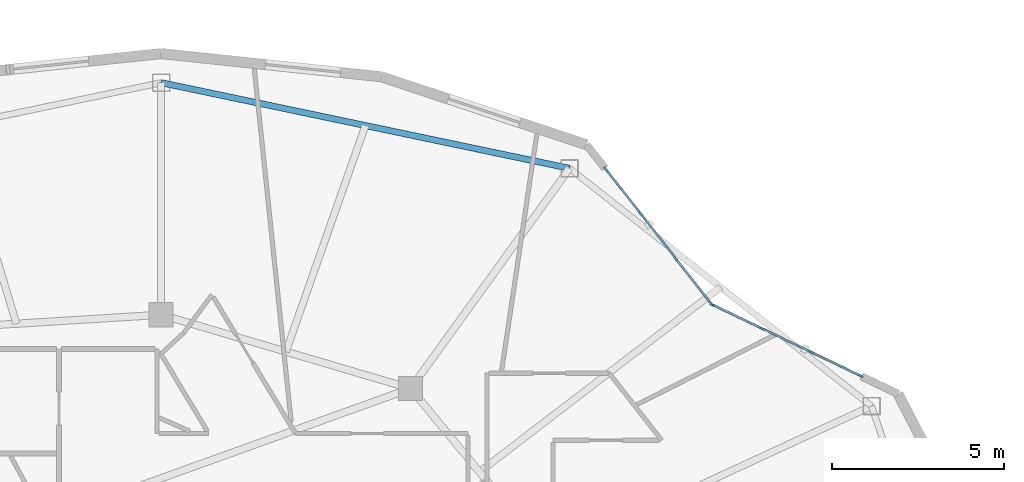
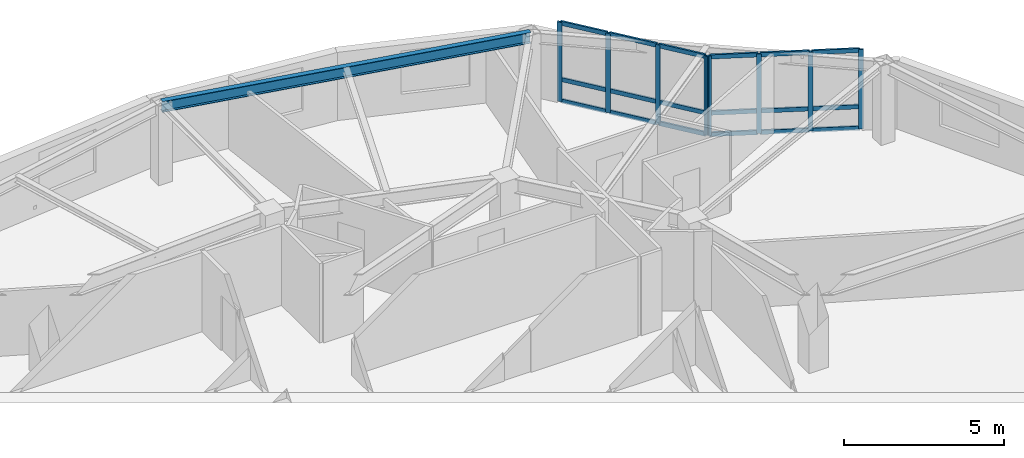
# One storey, part 6 of 21: 26 members, 1 beam, 2 elements without a shape of their own.
"""IFC4 building model written with IfcOpenShell, lengths in metres."""

from ifc_helpers import new_model, si_unit, direction, frame, origin, origin_2d, place, context, subcontext, project, spatial, rectangle, i_section, extrude, material, layer, layer_set, material_profile, profile_set, type_object, element, aggregate, save


model = new_model("IFC4")

# Units and contexts
model_context = context("Model", 3, precision=1e-05, world=origin(), true_north=direction((0.0, 1.0)))
body_context = subcontext(model_context, "Body", "Model", "MODEL_VIEW")
ifc_project = project(units=[si_unit("LENGTHUNIT", "METRE"), si_unit("AREAUNIT", "SQUARE_METRE"), si_unit("VOLUMEUNIT", "CUBIC_METRE"), si_unit("PLANEANGLEUNIT", "RADIAN"), si_unit("MASSUNIT", "GRAM", prefix="KILO")], contexts=[model_context])

# Site, building, storey
site_placement = place(None, origin())
site = spatial("IfcSite", under=ifc_project, at=site_placement, CompositionType="ELEMENT")
building_placement = place(site_placement, origin())
building = spatial("IfcBuilding", under=site, at=building_placement, Name="Kolvaren Gate Tower and Convention Centre", CompositionType="ELEMENT")
storey_placement = place(building_placement, frame((0.0, 0.0, 226.10009765625)))
storey = spatial("IfcBuildingStorey", under=building, at=storey_placement, Name="L60", CompositionType="ELEMENT", Elevation=226.10009765625)

# Curtain wall, members
ifc_material_1 = material(Name="Anodized Architectural Aluminium Alloy 6063-T6", Category="aluminium")
ifc_layer = layer(ifc_material_1, 0.159912109375)
ifc_layer_set = layer_set([ifc_layer], Name="Anodized Architectural Aluminium Alloy 6063-T6")
curtain_wall_type = type_object("IfcCurtainWallType", Name="CW-RES-UNIT", PredefinedType="NOTDEFINED", material=ifc_layer_set)
curtain_wall_1_placement = place(storey_placement, origin())
curtain_wall_1 = element("IfcCurtainWall", 1, at=curtain_wall_1_placement, inside=storey, type_object=curtain_wall_type, Name="Tower L60 Unitised Curtain Wall CW-RES-UNIT Bay 02", PredefinedType="NOTDEFINED")
ifc_material_profile_1 = material_profile(ifc_material_1, rectangle(XDim=0.06494140625, YDim=0.159912109375, at=origin_2d()), Name="CW-MEM-MUL-160")
ifc_profile_set_1 = profile_set([ifc_material_profile_1], Name="Anodized Architectural Aluminium Alloy 6063-T6")
member_type_1 = type_object("IfcMemberType", Name="CW-MEM-MUL-160", PredefinedType="MULLION", material=ifc_profile_set_1)
member_1_placement = place(storey_placement, frame((46.161865234375, 39.4931640625, 0.0), z_axis=(0.0, 0.0, 1.0), x_axis=(0.433064264345, 0.90136304725, 0.0)))
member_1 = element("IfcMember", 2, at=member_1_placement, type_object=member_type_1, Name="CW-04 mullion 1", PredefinedType="MULLION", context=body_context, shape_type="SweptSolid", body=[
    extrude(rectangle(XDim=0.06494140625, YDim=0.159912109375, at=origin_2d()), origin(), (0.0, 0.0, 1.0), 3.02978515625),
])
member_2_placement = place(storey_placement, frame((47.58642578125, 38.808837890625, 0.0), z_axis=(0.0, 0.0, 1.0), x_axis=(0.433064264345, 0.90136304725, 0.0)))
member_2 = element("IfcMember", 3, at=member_2_placement, type_object=member_type_1, Name="CW-04 mullion 2", PredefinedType="MULLION", context=body_context, shape_type="SweptSolid", body=[
    extrude(rectangle(XDim=0.06494140625, YDim=0.159912109375, at=origin_2d()), origin(), (0.0, 0.0, 1.0), 3.02978515625),
])
member_3_placement = place(storey_placement, frame((49.040283203125, 38.1103515625, 0.0), z_axis=(0.0, 0.0, 1.0), x_axis=(0.433064264345, 0.90136304725, 0.0)))
member_3 = element("IfcMember", 4, at=member_3_placement, type_object=member_type_1, Name="CW-04 mullion 3", PredefinedType="MULLION", context=body_context, shape_type="SweptSolid", body=[
    extrude(rectangle(XDim=0.06494140625, YDim=0.159912109375, at=origin_2d()), origin(), (0.0, 0.0, 1.0), 3.02978515625),
])
member_4_placement = place(storey_placement, frame((50.46484375, 37.42578125, 0.0), z_axis=(0.0, 0.0, 1.0), x_axis=(0.433064264345, 0.90136304725, 0.0)))
member_4 = element("IfcMember", 5, at=member_4_placement, type_object=member_type_1, Name="CW-04 mullion 4", PredefinedType="MULLION", context=body_context, shape_type="SweptSolid", body=[
    extrude(rectangle(XDim=0.06494140625, YDim=0.159912109375, at=origin_2d()), origin(), (0.0, 0.0, 1.0), 3.02978515625),
])

curtain_wall_2_placement = place(storey_placement, origin())
curtain_wall_2 = element("IfcCurtainWall", 6, at=curtain_wall_2_placement, inside=storey, type_object=curtain_wall_type, Name="Tower L60 Unitised Curtain Wall CW-RES-UNIT Bay 03", PredefinedType="NOTDEFINED")
member_5_placement = place(storey_placement, frame((43.06005859375, 43.431884765625, 0.0), z_axis=(0.0, 0.0, 1.0), x_axis=(0.787404459493, 0.616436709784, 0.0)))
member_5 = element("IfcMember", 7, at=member_5_placement, type_object=member_type_1, Name="CW-04 mullion 1", PredefinedType="MULLION", context=body_context, shape_type="SweptSolid", body=[
    extrude(rectangle(XDim=0.06494140625, YDim=0.159912109375, at=origin_2d()), origin(), (0.0, 0.0, 1.0), 3.02978515625),
])
member_6_placement = place(storey_placement, frame((44.07080078125, 42.140869140625, 0.0), z_axis=(0.0, 0.0, 1.0), x_axis=(0.787404459493, 0.616436709784, 0.0)))
member_6 = element("IfcMember", 8, at=member_6_placement, type_object=member_type_1, Name="CW-04 mullion 2", PredefinedType="MULLION", context=body_context, shape_type="SweptSolid", body=[
    extrude(rectangle(XDim=0.06494140625, YDim=0.159912109375, at=origin_2d()), origin(), (0.0, 0.0, 1.0), 3.02978515625),
])
member_7_placement = place(storey_placement, frame((45.1015625, 40.823974609375, 0.0), z_axis=(0.0, 0.0, 1.0), x_axis=(0.787404459493, 0.616436709784, 0.0)))
member_7 = element("IfcMember", 9, at=member_7_placement, type_object=member_type_1, Name="CW-04 mullion 3", PredefinedType="MULLION", context=body_context, shape_type="SweptSolid", body=[
    extrude(rectangle(XDim=0.06494140625, YDim=0.159912109375, at=origin_2d()), origin(), (0.0, 0.0, 1.0), 3.02978515625),
])
member_8_placement = place(storey_placement, frame((46.112548828125, 39.532958984375, 0.0), z_axis=(0.0, 0.0, 1.0), x_axis=(0.787404459493, 0.616436709784, 0.0)))
member_8 = element("IfcMember", 10, at=member_8_placement, type_object=member_type_1, Name="CW-04 mullion 4", PredefinedType="MULLION", context=body_context, shape_type="SweptSolid", body=[
    extrude(rectangle(XDim=0.06494140625, YDim=0.159912109375, at=origin_2d()), origin(), (0.0, 0.0, 1.0), 3.02978515625),
])

# Member
ifc_material_profile_2 = material_profile(ifc_material_1, rectangle(XDim=0.06494140625, YDim=0.159912109375, at=origin_2d()), Name="CW-MEM-TRN-160")
ifc_profile_set_2 = profile_set([ifc_material_profile_2], Name="Anodized Architectural Aluminium Alloy 6063-T6")
member_type_2 = type_object("IfcMemberType", Name="CW-MEM-TRN-160", PredefinedType="USERDEFINED", material=ifc_profile_set_2)
member_9_placement = place(storey_placement, frame((46.191162109375, 39.479248046875, 0.032470703125), z_axis=(0.901309275583, -0.433176164797, 0.0), x_axis=(0.433176164797, 0.901309275583, 0.0)))
member_9 = element("IfcMember", 11, at=member_9_placement, type_object=member_type_2, Name="CW-04 transom 1.1", ObjectType="TRANSOM", PredefinedType="USERDEFINED", context=body_context, shape_type="SweptSolid", body=[
    extrude(rectangle(XDim=0.06494140625, YDim=0.159912109375, at=origin_2d()), origin(), (0.0, 0.0, 1.0), 1.515625),
])

member_10_placement = place(storey_placement, frame((46.191162109375, 39.479248046875, 0.849853515625), z_axis=(0.901309275583, -0.433176164797, 0.0), x_axis=(0.433176164797, 0.901309275583, 0.0)))
member_10 = element("IfcMember", 12, at=member_10_placement, type_object=member_type_2, Name="CW-04 transom 1.2", ObjectType="TRANSOM", PredefinedType="USERDEFINED", context=body_context, shape_type="SweptSolid", body=[
    extrude(rectangle(XDim=0.06494140625, YDim=0.159912109375, at=origin_2d()), origin(), (0.0, 0.0, 1.0), 1.515625),
])

member_11_placement = place(storey_placement, frame((46.191162109375, 39.479248046875, 2.997314453125), z_axis=(0.901309275583, -0.433176164797, 0.0), x_axis=(0.433176164797, 0.901309275583, 0.0)))
member_11 = element("IfcMember", 13, at=member_11_placement, type_object=member_type_2, Name="CW-04 transom 1.3", ObjectType="TRANSOM", PredefinedType="USERDEFINED", context=body_context, shape_type="SweptSolid", body=[
    extrude(rectangle(XDim=0.06494140625, YDim=0.159912109375, at=origin_2d()), origin(), (0.0, 0.0, 1.0), 1.515625),
])

member_12_placement = place(storey_placement, frame((47.61572265625, 38.794677734375, 0.032470703125), z_axis=(0.901350707748, -0.433089946365, 0.0), x_axis=(0.433089946365, 0.901350707748, 0.0)))
member_12 = element("IfcMember", 14, at=member_12_placement, type_object=member_type_2, Name="CW-04 transom 2.1", ObjectType="TRANSOM", PredefinedType="USERDEFINED", context=body_context, shape_type="SweptSolid", body=[
    extrude(rectangle(XDim=0.06494140625, YDim=0.159912109375, at=origin_2d()), origin(), (0.0, 0.0, 1.0), 1.5478515625),
])

member_13_placement = place(storey_placement, frame((47.61572265625, 38.794677734375, 0.849853515625), z_axis=(0.901350707748, -0.433089946365, 0.0), x_axis=(0.433089946365, 0.901350707748, 0.0)))
member_13 = element("IfcMember", 15, at=member_13_placement, type_object=member_type_2, Name="CW-04 transom 2.2", ObjectType="TRANSOM", PredefinedType="USERDEFINED", context=body_context, shape_type="SweptSolid", body=[
    extrude(rectangle(XDim=0.06494140625, YDim=0.159912109375, at=origin_2d()), origin(), (0.0, 0.0, 1.0), 1.5478515625),
])

member_14_placement = place(storey_placement, frame((47.61572265625, 38.794677734375, 2.997314453125), z_axis=(0.901350707748, -0.433089946365, 0.0), x_axis=(0.433089946365, 0.901350707748, 0.0)))
member_14 = element("IfcMember", 16, at=member_14_placement, type_object=member_type_2, Name="CW-04 transom 2.3", ObjectType="TRANSOM", PredefinedType="USERDEFINED", context=body_context, shape_type="SweptSolid", body=[
    extrude(rectangle(XDim=0.06494140625, YDim=0.159912109375, at=origin_2d()), origin(), (0.0, 0.0, 1.0), 1.5478515625),
])

member_15_placement = place(storey_placement, frame((49.069580078125, 38.09619140625, 0.032470703125), z_axis=(0.901372164893, -0.433045286726, 0.0), x_axis=(0.433045286726, 0.901372164893, 0.0)))
member_15 = element("IfcMember", 17, at=member_15_placement, type_object=member_type_2, Name="CW-04 transom 3.1", ObjectType="TRANSOM", PredefinedType="USERDEFINED", context=body_context, shape_type="SweptSolid", body=[
    extrude(rectangle(XDim=0.06494140625, YDim=0.159912109375, at=origin_2d()), origin(), (0.0, 0.0, 1.0), 1.515380859375),
])

member_16_placement = place(storey_placement, frame((49.069580078125, 38.09619140625, 0.849853515625), z_axis=(0.901372164893, -0.433045286726, 0.0), x_axis=(0.433045286726, 0.901372164893, 0.0)))
member_16 = element("IfcMember", 18, at=member_16_placement, type_object=member_type_2, Name="CW-04 transom 3.2", ObjectType="TRANSOM", PredefinedType="USERDEFINED", context=body_context, shape_type="SweptSolid", body=[
    extrude(rectangle(XDim=0.06494140625, YDim=0.159912109375, at=origin_2d()), origin(), (0.0, 0.0, 1.0), 1.515380859375),
])

member_17_placement = place(storey_placement, frame((49.069580078125, 38.09619140625, 2.997314453125), z_axis=(0.901372164893, -0.433045286726, 0.0), x_axis=(0.433045286726, 0.901372164893, 0.0)))
member_17 = element("IfcMember", 19, at=member_17_placement, type_object=member_type_2, Name="CW-04 transom 3.3", ObjectType="TRANSOM", PredefinedType="USERDEFINED", context=body_context, shape_type="SweptSolid", body=[
    extrude(rectangle(XDim=0.06494140625, YDim=0.159912109375, at=origin_2d()), origin(), (0.0, 0.0, 1.0), 1.515380859375),
])

aggregate(curtain_wall_1, [member_1, member_2, member_3, member_4, member_9, member_10, member_11, member_12, member_13, member_14, member_15, member_16, member_17])

member_18_placement = place(storey_placement, frame((43.080078125, 43.40625, 0.032470703125), z_axis=(0.616416943475, -0.787419933579, 0.0), x_axis=(0.787419933579, 0.616416943475, 0.0)))
member_18 = element("IfcMember", 20, at=member_18_placement, type_object=member_type_2, Name="CW-04 transom 1.1", ObjectType="TRANSOM", PredefinedType="USERDEFINED", context=body_context, shape_type="SweptSolid", body=[
    extrude(rectangle(XDim=0.06494140625, YDim=0.159912109375, at=origin_2d()), origin(), (0.0, 0.0, 1.0), 1.57470703125),
])

member_19_placement = place(storey_placement, frame((43.080078125, 43.40625, 0.849853515625), z_axis=(0.616416943475, -0.787419933579, 0.0), x_axis=(0.787419933579, 0.616416943475, 0.0)))
member_19 = element("IfcMember", 21, at=member_19_placement, type_object=member_type_2, Name="CW-04 transom 1.2", ObjectType="TRANSOM", PredefinedType="USERDEFINED", context=body_context, shape_type="SweptSolid", body=[
    extrude(rectangle(XDim=0.06494140625, YDim=0.159912109375, at=origin_2d()), origin(), (0.0, 0.0, 1.0), 1.57470703125),
])

member_20_placement = place(storey_placement, frame((43.080078125, 43.40625, 2.997314453125), z_axis=(0.616416943475, -0.787419933579, 0.0), x_axis=(0.787419933579, 0.616416943475, 0.0)))
member_20 = element("IfcMember", 22, at=member_20_placement, type_object=member_type_2, Name="CW-04 transom 1.3", ObjectType="TRANSOM", PredefinedType="USERDEFINED", context=body_context, shape_type="SweptSolid", body=[
    extrude(rectangle(XDim=0.06494140625, YDim=0.159912109375, at=origin_2d()), origin(), (0.0, 0.0, 1.0), 1.57470703125),
])

member_21_placement = place(storey_placement, frame((44.0908203125, 42.115234375, 0.032470703125), z_axis=(0.616398363045, -0.787434478567, 0.0), x_axis=(0.787434478567, 0.616398363045, 0.0)))
member_21 = element("IfcMember", 23, at=member_21_placement, type_object=member_type_2, Name="CW-04 transom 2.1", ObjectType="TRANSOM", PredefinedType="USERDEFINED", context=body_context, shape_type="SweptSolid", body=[
    extrude(rectangle(XDim=0.06494140625, YDim=0.159912109375, at=origin_2d()), origin(), (0.0, 0.0, 1.0), 1.607177734375),
])

member_22_placement = place(storey_placement, frame((44.0908203125, 42.115234375, 0.849853515625), z_axis=(0.616398363045, -0.787434478567, 0.0), x_axis=(0.787434478567, 0.616398363045, 0.0)))
member_22 = element("IfcMember", 24, at=member_22_placement, type_object=member_type_2, Name="CW-04 transom 2.2", ObjectType="TRANSOM", PredefinedType="USERDEFINED", context=body_context, shape_type="SweptSolid", body=[
    extrude(rectangle(XDim=0.06494140625, YDim=0.159912109375, at=origin_2d()), origin(), (0.0, 0.0, 1.0), 1.607177734375),
])

member_23_placement = place(storey_placement, frame((44.0908203125, 42.115234375, 2.997314453125), z_axis=(0.616398363045, -0.787434478567, 0.0), x_axis=(0.787434478567, 0.616398363045, 0.0)))
member_23 = element("IfcMember", 25, at=member_23_placement, type_object=member_type_2, Name="CW-04 transom 2.3", ObjectType="TRANSOM", PredefinedType="USERDEFINED", context=body_context, shape_type="SweptSolid", body=[
    extrude(rectangle(XDim=0.06494140625, YDim=0.159912109375, at=origin_2d()), origin(), (0.0, 0.0, 1.0), 1.607177734375),
])

member_24_placement = place(storey_placement, frame((45.12158203125, 40.79833984375, 0.032470703125), z_axis=(0.616588309904, -0.7872857525, 0.0), x_axis=(0.7872857525, 0.616588309904, 0.0)))
member_24 = element("IfcMember", 26, at=member_24_placement, type_object=member_type_2, Name="CW-04 transom 3.1", ObjectType="TRANSOM", PredefinedType="USERDEFINED", context=body_context, shape_type="SweptSolid", body=[
    extrude(rectangle(XDim=0.06494140625, YDim=0.159912109375, at=origin_2d()), origin(), (0.0, 0.0, 1.0), 1.57470703125),
])

member_25_placement = place(storey_placement, frame((45.12158203125, 40.79833984375, 0.849853515625), z_axis=(0.616588309904, -0.7872857525, 0.0), x_axis=(0.7872857525, 0.616588309904, 0.0)))
member_25 = element("IfcMember", 27, at=member_25_placement, type_object=member_type_2, Name="CW-04 transom 3.2", ObjectType="TRANSOM", PredefinedType="USERDEFINED", context=body_context, shape_type="SweptSolid", body=[
    extrude(rectangle(XDim=0.06494140625, YDim=0.159912109375, at=origin_2d()), origin(), (0.0, 0.0, 1.0), 1.57470703125),
])

member_26_placement = place(storey_placement, frame((45.12158203125, 40.79833984375, 2.997314453125), z_axis=(0.616588309904, -0.7872857525, 0.0), x_axis=(0.7872857525, 0.616588309904, 0.0)))
member_26 = element("IfcMember", 28, at=member_26_placement, type_object=member_type_2, Name="CW-04 transom 3.3", ObjectType="TRANSOM", PredefinedType="USERDEFINED", context=body_context, shape_type="SweptSolid", body=[
    extrude(rectangle(XDim=0.06494140625, YDim=0.159912109375, at=origin_2d()), origin(), (0.0, 0.0, 1.0), 1.57470703125),
])

aggregate(curtain_wall_2, [member_5, member_6, member_7, member_8, member_18, member_19, member_20, member_21, member_22, member_23, member_24, member_25, member_26])

# Beam
ifc_material_2 = material(Name="Structural steel ASTM A992 Grade 345 MPa", Category="steel")
ifc_material_profile_3 = material_profile(ifc_material_2, i_section(OverallWidth=0.180908203125, OverallDepth=0.4169921875, WebThickness=0.010986328125, FlangeThickness=0.018310546875, at=origin_2d()), Name="W410X85")
ifc_profile_set_3 = profile_set([ifc_material_profile_3], Name="Structural steel ASTM A992 Grade 345 MPa")
beam_type = type_object("IfcBeamType", Name="STR-SP-W410X85", PredefinedType="SPANDREL", material=ifc_profile_set_3)
beam_placement = place(storey_placement, frame((42.002685546875, 43.4580078125, 2.8212890625), z_axis=(-0.978692765917, 0.205330148645, 0.0), x_axis=(-0.205330148645, -0.978692765917, 0.0)))
element("IfcBeam", 29, at=beam_placement, inside=storey, type_object=beam_type, Name="Tower L60 Perimeter Spandrel Beam SP-03", PredefinedType="SPANDREL", context=body_context, shape_type="SweptSolid", body=[
    extrude(i_section(OverallWidth=0.180908203125, OverallDepth=0.4169921875, WebThickness=0.010986328125, FlangeThickness=0.018310546875, at=origin_2d()), origin(), (0.0, 0.0, 1.0), 12.13623046875),
])

save(model, "model.ifc")
